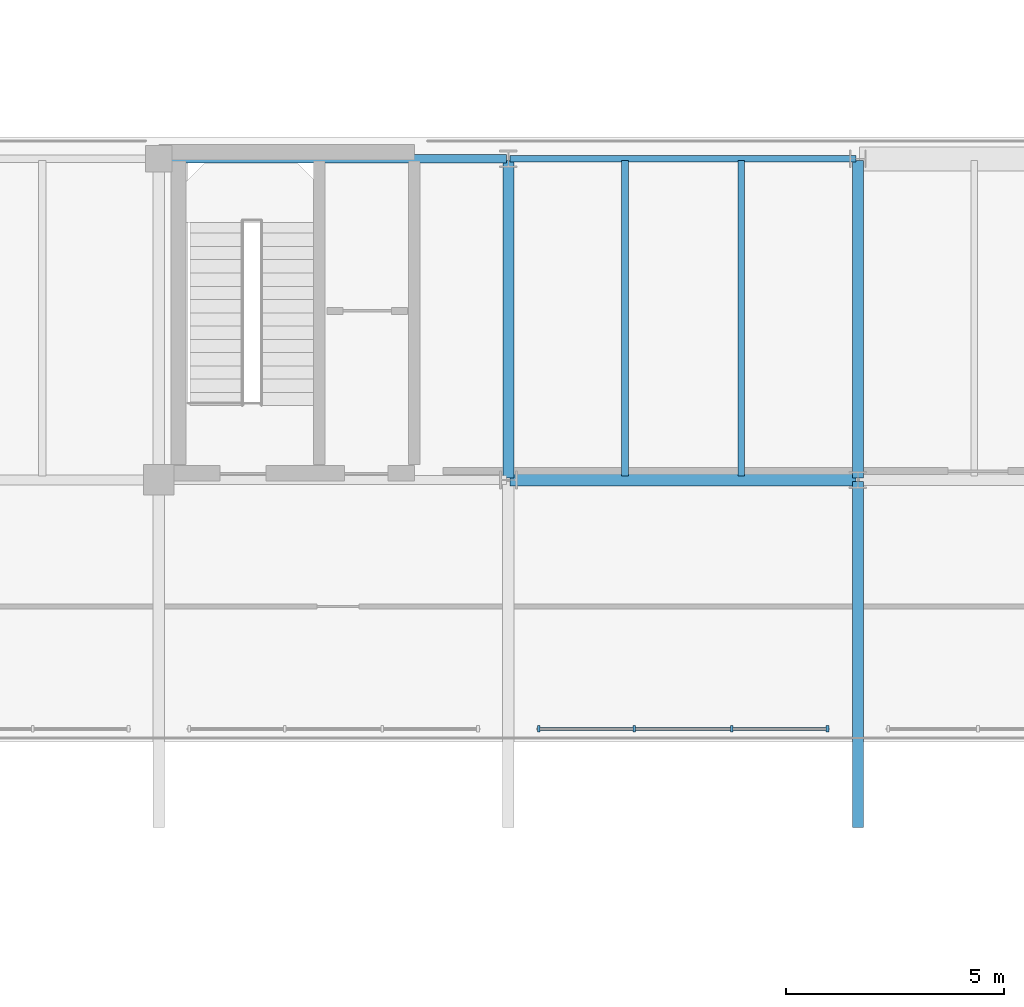
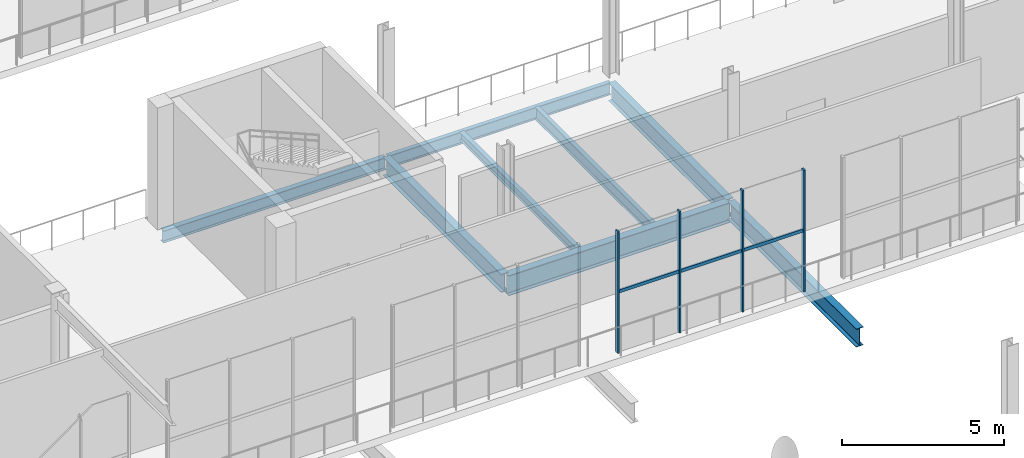
# One storey, part 22 of 70: 8 beams, 7 members, 1 element without a shape of its own.
"""IFC4 building model written with IfcOpenShell, lengths in metres."""

from ifc_helpers import new_model, si_unit, direction, frame, origin, origin_2d, place, context, subcontext, project, spatial, rectangle, i_section, extrude, material, material_profile, profile_set, type_object, element, aggregate, save


model = new_model("IFC4")

# Units and contexts
model_context = context("Model", 3, precision=1e-05, world=origin(), true_north=direction((0.0, 1.0)))
body_context = subcontext(model_context, "Body", "Model", "MODEL_VIEW")
ifc_project = project(units=[si_unit("LENGTHUNIT", "METRE"), si_unit("AREAUNIT", "SQUARE_METRE"), si_unit("VOLUMEUNIT", "CUBIC_METRE"), si_unit("PLANEANGLEUNIT", "RADIAN"), si_unit("MASSUNIT", "GRAM", prefix="KILO")], contexts=[model_context])

# Site, building, storey
site_placement = place(None, origin())
site = spatial("IfcSite", under=ifc_project, at=site_placement, CompositionType="ELEMENT")
building_placement = place(site_placement, origin())
building = spatial("IfcBuilding", under=site, at=building_placement, Name="Brisemont Oceanarium", CompositionType="ELEMENT")
storey_placement = place(building_placement, frame((0.0, 0.0, 10.199951171875)))
storey = spatial("IfcBuildingStorey", under=building, at=storey_placement, Name="L02", CompositionType="ELEMENT", Elevation=10.199951171875)

# Beams
ifc_material_1 = material(Name="Structural Steel ASTM A992 Gr.50", Category="steel")
ifc_material_profile_1 = material_profile(ifc_material_1, i_section(OverallWidth=0.1650390625, OverallDepth=0.31005859375, WebThickness=0.005859375, FlangeThickness=0.009765625, FilletRadius=0.008056640625, at=origin_2d()), Name="W12X26")
ifc_profile_set_1 = profile_set([ifc_material_profile_1], Name="Structural Steel ASTM A992 Gr.50")
beam_type_1 = type_object("IfcBeamType", Name="BM-W12X26", PredefinedType="JOIST", material=ifc_profile_set_1)
beam_1_placement = place(storey_placement, frame((34.666748046875, 24.090087890625, -0.43505859375), z_axis=(0.0, 1.0, 0.0), x_axis=(-1.0, 0.0, 0.0)))
element("IfcBeam", 1, at=beam_1_placement, inside=storey, type_object=beam_type_1, Name="V2 L02 secondary floor beam", PredefinedType="JOIST", context=body_context, shape_type="SweptSolid", body=[
    extrude(i_section(OverallWidth=0.1650390625, OverallDepth=0.31005859375, WebThickness=0.005859375, FlangeThickness=0.009765625, FilletRadius=0.008056640625, at=origin_2d()), origin(), (0.0, 0.0, 1.0), 7.219970703125),
])
ifc_material_2 = material(Name="Structural Steel ASTM A992 Gr.50", Category="steel")
ifc_material_profile_2 = material_profile(ifc_material_2, i_section(OverallWidth=0.153076171875, OverallDepth=0.455078125, WebThickness=0.008056640625, FlangeThickness=0.01318359375, FilletRadius=0.010986328125, at=origin_2d()), Name="W18X40")
ifc_profile_set_2 = profile_set([ifc_material_profile_2], Name="Structural Steel ASTM A992 Gr.50")
beam_type_2 = type_object("IfcBeamType", Name="BM-W18X40", PredefinedType="JOIST", material=ifc_profile_set_2)
beam_2_placement = place(storey_placement, frame((37.333251953125, 24.090087890625, -0.507568359375), z_axis=(0.0, 1.0, 0.0), x_axis=(-1.0, 0.0, 0.0)))
element("IfcBeam", 2, at=beam_2_placement, inside=storey, type_object=beam_type_2, Name="V2 L02 secondary floor beam", PredefinedType="JOIST", context=body_context, shape_type="SweptSolid", body=[
    extrude(i_section(OverallWidth=0.153076171875, OverallDepth=0.455078125, WebThickness=0.008056640625, FlangeThickness=0.01318359375, FilletRadius=0.010986328125, at=origin_2d()), origin(), (0.0, 0.0, 1.0), 7.219970703125),
])
ifc_material_3 = material(Name="Structural Steel ASTM A992 Gr.50", Category="steel")
ifc_material_profile_3 = material_profile(ifc_material_3, i_section(OverallWidth=0.154052734375, OverallDepth=0.458984375, WebThickness=0.009033203125, FlangeThickness=0.015380859375, FilletRadius=0.010986328125, at=origin_2d()), Name="W18X46")
ifc_profile_set_3 = profile_set([ifc_material_profile_3], Name="Structural Steel ASTM A992 Gr.50")
beam_type_3 = type_object("IfcBeamType", Name="BM-W18X46", PredefinedType="SPANDREL", material=ifc_profile_set_3)
beam_3_placement = place(storey_placement, frame((32.0400390625, 31.35009765625, -0.509521484375), z_axis=(1.0, 0.0, 0.0), x_axis=(0.0, 1.0, 0.0)))
element("IfcBeam", 3, at=beam_3_placement, inside=storey, type_object=beam_type_3, Name="V2 L02 EW girder", PredefinedType="SPANDREL", context=body_context, shape_type="SweptSolid", body=[
    extrude(i_section(OverallWidth=0.154052734375, OverallDepth=0.458984375, WebThickness=0.009033203125, FlangeThickness=0.015380859375, FilletRadius=0.010986328125, at=origin_2d()), origin(), (0.0, 0.0, 1.0), 7.919921875),
])
ifc_material_4 = material(Name="Structural Steel ASTM A992 Gr.50", Category="steel")
ifc_material_profile_4 = material_profile(ifc_material_4, i_section(OverallWidth=0.19091796875, OverallDepth=0.4599609375, WebThickness=0.010009765625, FlangeThickness=0.01611328125, FilletRadius=0.010986328125, at=origin_2d()), Name="W18X55")
ifc_profile_set_4 = profile_set([ifc_material_profile_4], Name="Structural Steel ASTM A992 Gr.50")
beam_type_4 = type_object("IfcBeamType", Name="BM-W18X55", PredefinedType="SPANDREL", material=ifc_profile_set_4)
beam_4_placement = place(storey_placement, frame((24.0400390625, 31.35009765625, -0.510009765625), z_axis=(1.0, 0.0, 0.0), x_axis=(0.0, 1.0, 0.0)))
element("IfcBeam", 4, at=beam_4_placement, inside=storey, type_object=beam_type_4, Name="V2 L02 EW girder", PredefinedType="SPANDREL", context=body_context, shape_type="SweptSolid", body=[
    extrude(i_section(OverallWidth=0.19091796875, OverallDepth=0.4599609375, WebThickness=0.010009765625, FlangeThickness=0.01611328125, FilletRadius=0.010986328125, at=origin_2d()), origin(), (0.0, 0.0, 1.0), 7.919921875),
])
ifc_material_5 = material(Name="Structural Steel ASTM A992 Gr.50", Category="steel")
ifc_material_profile_5 = material_profile(ifc_material_5, i_section(OverallWidth=0.2529296875, OverallDepth=0.677978515625, WebThickness=0.01171875, FlangeThickness=0.016357421875, FilletRadius=0.014892578125, at=origin_2d()), Name="W27X84")
ifc_profile_set_5 = profile_set([ifc_material_profile_5], Name="Structural Steel ASTM A992 Gr.50")
beam_type_5 = type_object("IfcBeamType", Name="BM-W27X84", PredefinedType="BEAM", material=ifc_profile_set_5)
beam_5_placement = place(storey_placement, frame((40.0, 24.0400390625, -0.618896484375), z_axis=(0.0, 1.0, 0.0), x_axis=(-1.0, 0.0, 0.0)))
element("IfcBeam", 5, at=beam_5_placement, inside=storey, type_object=beam_type_5, Name="V2 L02 NS girder", PredefinedType="BEAM", context=body_context, shape_type="SweptSolid", body=[
    extrude(i_section(OverallWidth=0.2529296875, OverallDepth=0.677978515625, WebThickness=0.01171875, FlangeThickness=0.016357421875, FilletRadius=0.014892578125, at=origin_2d()), origin(), (0.0, 0.0, 1.0), 7.27001953125),
])
ifc_material_6 = material(Name="Structural Steel ASTM A992 Gr.50", Category="steel")
ifc_material_profile_6 = material_profile(ifc_material_6, i_section(OverallWidth=0.25390625, OverallDepth=0.68310546875, WebThickness=0.012451171875, FlangeThickness=0.018798828125, FilletRadius=0.014892578125, at=origin_2d()), Name="W27X94")
ifc_profile_set_6 = profile_set([ifc_material_profile_6], Name="Structural Steel ASTM A992 Gr.50")
beam_type_6 = type_object("IfcBeamType", Name="BM-W27X94", PredefinedType="BEAM", material=ifc_profile_set_6)
beam_6_placement = place(storey_placement, frame((32.0, 24.0400390625, -0.621337890625), z_axis=(0.0, 1.0, 0.0), x_axis=(-1.0, 0.0, 0.0)))
element("IfcBeam", 6, at=beam_6_placement, inside=storey, type_object=beam_type_6, Name="V2 L02 NS girder", PredefinedType="BEAM", context=body_context, shape_type="SweptSolid", body=[
    extrude(i_section(OverallWidth=0.25390625, OverallDepth=0.68310546875, WebThickness=0.012451171875, FlangeThickness=0.018798828125, FilletRadius=0.014892578125, at=origin_2d()), origin(), (0.0, 0.0, 1.0), 7.27001953125),
])
beam_7_placement = place(storey_placement, frame((40.0, 16.0400390625, -0.621337890625), z_axis=(0.0, 1.0, 0.0), x_axis=(-1.0, 0.0, 0.0)))
element("IfcBeam", 7, at=beam_7_placement, inside=storey, type_object=beam_type_6, Name="V2 L02 NS girder", PredefinedType="BEAM", context=body_context, shape_type="SweptSolid", body=[
    extrude(i_section(OverallWidth=0.25390625, OverallDepth=0.68310546875, WebThickness=0.012451171875, FlangeThickness=0.018798828125, FilletRadius=0.014892578125, at=origin_2d()), origin(), (0.0, 0.0, 1.0), 7.919921875),
])
ifc_material_7 = material(Name="Structural Steel ASTM A992 Gr.50", Category="steel")
ifc_material_profile_7 = material_profile(ifc_material_7, i_section(OverallWidth=0.26708984375, OverallDepth=0.761962890625, WebThickness=0.014404296875, FlangeThickness=0.021484375, FilletRadius=0.01611328125, at=origin_2d()), Name="W30X116")
ifc_profile_set_7 = profile_set([ifc_material_profile_7], Name="Structural Steel ASTM A992 Gr.50")
beam_type_7 = type_object("IfcBeamType", Name="BM-W30X116", PredefinedType="BEAM", material=ifc_profile_set_7)
beam_8_placement = place(storey_placement, frame((32.0400390625, 24.0, -0.660888671875), z_axis=(1.0, 0.0, 0.0), x_axis=(0.0, 1.0, 0.0)))
element("IfcBeam", 8, at=beam_8_placement, inside=storey, type_object=beam_type_7, Name="V2 L02 EW girder", PredefinedType="BEAM", context=body_context, shape_type="SweptSolid", body=[
    extrude(i_section(OverallWidth=0.26708984375, OverallDepth=0.761962890625, WebThickness=0.014404296875, FlangeThickness=0.021484375, FilletRadius=0.01611328125, at=origin_2d()), origin(), (0.0, 0.0, 1.0), 7.919921875),
])

# Curtain wall, members
ifc_material_8 = material(Name="Anodized Extruded Aluminum 6063-T6", Category="aluminium")
curtain_wall_type = type_object("IfcCurtainWallType", Name="CW-CLR-48X34", PredefinedType="NOTDEFINED", material=ifc_material_8)
curtain_wall_placement = place(storey_placement, origin())
curtain_wall = element("IfcCurtainWall", 9, at=curtain_wall_placement, inside=storey, type_object=curtain_wall_type, Name="CW-22 curtain wall CW-V2-S-L02-04", PredefinedType="NOTDEFINED")
ifc_material_9 = material(Name="Anodized Extruded Aluminum 6063-T6", Category="aluminium")
ifc_material_profile_8 = material_profile(ifc_material_9, rectangle(XDim=0.06005859375, YDim=0.14990234375, at=origin_2d()), Name="CWM-60X150")
ifc_profile_set_8 = profile_set([ifc_material_profile_8], Name="Anodized Extruded Aluminum 6063-T6")
member_type_1 = type_object("IfcMemberType", Name="MEM-CWM-60", PredefinedType="MULLION", material=ifc_profile_set_8)
member_1_placement = place(storey_placement, frame((32.695068359375, 18.300048828125, 0.0), z_axis=(0.0, 0.0, 1.0), x_axis=(1.0, 0.0, 0.0)))
member_1 = element("IfcMember", 10, at=member_1_placement, type_object=member_type_1, Name="CW-V2-S-L02-04 mullion 1", PredefinedType="MULLION", context=body_context, shape_type="SweptSolid", body=[
    extrude(rectangle(XDim=0.06005859375, YDim=0.14990234375, at=origin_2d()), origin(), (0.0, 0.0, 1.0), 4.56005859375),
])
member_2_placement = place(storey_placement, frame((34.88330078125, 18.300048828125, 0.0), z_axis=(0.0, 0.0, 1.0), x_axis=(1.0, 0.0, 0.0)))
member_2 = element("IfcMember", 11, at=member_2_placement, type_object=member_type_1, Name="CW-V2-S-L02-04 mullion 2", PredefinedType="MULLION", context=body_context, shape_type="SweptSolid", body=[
    extrude(rectangle(XDim=0.06005859375, YDim=0.14990234375, at=origin_2d()), origin(), (0.0, 0.0, 1.0), 4.56005859375),
])
member_3_placement = place(storey_placement, frame((37.11669921875, 18.300048828125, 0.0), z_axis=(0.0, 0.0, 1.0), x_axis=(1.0, 0.0, 0.0)))
member_3 = element("IfcMember", 12, at=member_3_placement, type_object=member_type_1, Name="CW-V2-S-L02-04 mullion 3", PredefinedType="MULLION", context=body_context, shape_type="SweptSolid", body=[
    extrude(rectangle(XDim=0.06005859375, YDim=0.14990234375, at=origin_2d()), origin(), (0.0, 0.0, 1.0), 4.56005859375),
])
member_4_placement = place(storey_placement, frame((39.304931640625, 18.300048828125, 0.0), z_axis=(0.0, 0.0, 1.0), x_axis=(1.0, 0.0, 0.0)))
member_4 = element("IfcMember", 13, at=member_4_placement, type_object=member_type_1, Name="CW-V2-S-L02-04 mullion 4", PredefinedType="MULLION", context=body_context, shape_type="SweptSolid", body=[
    extrude(rectangle(XDim=0.06005859375, YDim=0.14990234375, at=origin_2d()), origin(), (0.0, 0.0, 1.0), 4.56005859375),
])
ifc_material_10 = material(Name="Anodized Extruded Aluminum 6063-T6", Category="aluminium")
ifc_material_profile_9 = material_profile(ifc_material_10, rectangle(XDim=0.06005859375, YDim=0.1201171875, at=origin_2d()), Name="CWT-60X120")
ifc_profile_set_9 = profile_set([ifc_material_profile_9], Name="Anodized Extruded Aluminum 6063-T6")
member_type_2 = type_object("IfcMemberType", Name="MEM-CWT-60", PredefinedType="USERDEFINED", material=ifc_profile_set_9)
member_5_placement = place(storey_placement, frame((32.6650390625, 18.300048828125, 2.280029296875), z_axis=(1.0, 0.0, 0.0), x_axis=(0.0, 1.0, 0.0)))
member_5 = element("IfcMember", 14, at=member_5_placement, type_object=member_type_2, Name="CW-V2-S-L02-04 transom 1.1", ObjectType="TRANSOM", PredefinedType="USERDEFINED", context=body_context, shape_type="SweptSolid", body=[
    extrude(rectangle(XDim=0.06005859375, YDim=0.1201171875, at=origin_2d()), origin(), (0.0, 0.0, 1.0), 2.203369140625),
])
member_6_placement = place(storey_placement, frame((34.898193359375, 18.300048828125, 2.280029296875), z_axis=(1.0, 0.0, 0.0), x_axis=(0.0, 1.0, 0.0)))
member_6 = element("IfcMember", 15, at=member_6_placement, type_object=member_type_2, Name="CW-V2-S-L02-04 transom 2.1", ObjectType="TRANSOM", PredefinedType="USERDEFINED", context=body_context, shape_type="SweptSolid", body=[
    extrude(rectangle(XDim=0.06005859375, YDim=0.1201171875, at=origin_2d()), origin(), (0.0, 0.0, 1.0), 2.20361328125),
])
member_7_placement = place(storey_placement, frame((37.131591796875, 18.300048828125, 2.280029296875), z_axis=(1.0, 0.0, 0.0), x_axis=(0.0, 1.0, 0.0)))
member_7 = element("IfcMember", 16, at=member_7_placement, type_object=member_type_2, Name="CW-V2-S-L02-04 transom 3.1", ObjectType="TRANSOM", PredefinedType="USERDEFINED", context=body_context, shape_type="SweptSolid", body=[
    extrude(rectangle(XDim=0.06005859375, YDim=0.1201171875, at=origin_2d()), origin(), (0.0, 0.0, 1.0), 2.203369140625),
])
aggregate(curtain_wall, [member_1, member_2, member_3, member_4, member_5, member_6, member_7])

save(model, "model.ifc")
